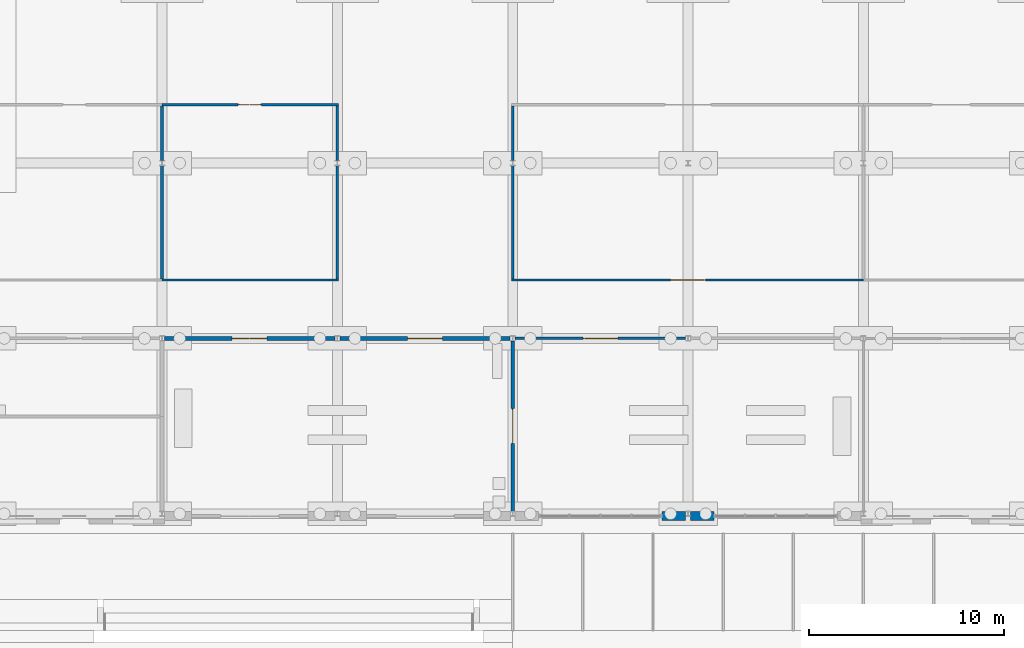
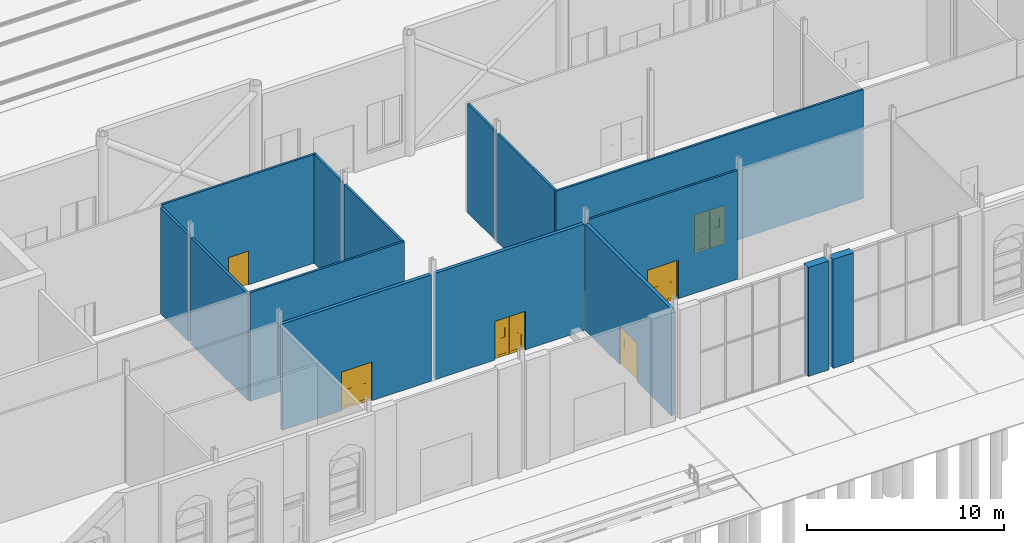
# One storey, part 96 of 250: 15 walls, 6 doors, 6 openings.
"""IFC4 building model written with IfcOpenShell, lengths in metres."""

from ifc_helpers import new_model, si_unit, direction, frame, frame_2d, origin, place, context, subcontext, project, spatial, polyline, rectangle, outline, extrude, material, layer, layer_set, type_object, element, fill, save


model = new_model("IFC4")

# Units and contexts
model_context = context("Model", 3, precision=1e-05, world=origin(), true_north=direction((0.0, 1.0)))
body_context = subcontext(model_context, "Body", "Model", "MODEL_VIEW")
ifc_project = project(units=[si_unit("LENGTHUNIT", "METRE"), si_unit("AREAUNIT", "SQUARE_METRE"), si_unit("VOLUMEUNIT", "CUBIC_METRE"), si_unit("PLANEANGLEUNIT", "RADIAN"), si_unit("MASSUNIT", "GRAM", prefix="KILO")], contexts=[model_context])

# Site, building, storey
site_placement = place(None, origin())
site = spatial("IfcSite", under=ifc_project, at=site_placement, CompositionType="ELEMENT")
building_placement = place(site_placement, origin())
building = spatial("IfcBuilding", under=site, at=building_placement, Name="Baradari Gate Terminus", CompositionType="ELEMENT")
storey_placement = place(building_placement, origin())
storey = spatial("IfcBuildingStorey", under=building, at=storey_placement, Name="L00", CompositionType="ELEMENT", Elevation=0.0)

# Wall, opening, door
ifc_material_1 = material(Name="Gypsum board")
ifc_layer_1 = layer(ifc_material_1, 0.125)
ifc_layer_set_1 = layer_set([ifc_layer_1], Name="Gypsum board")
wall_type_1 = type_object("IfcWallType", Name="Corridor partition PT-5 125 EI 30", PredefinedType="PARTITIONING", material=ifc_layer_set_1)
wall_1_placement = place(storey_placement, frame((125.871826171875, 18.0, 0.0), z_axis=(0.0, 0.0, 1.0), x_axis=(-1.0, 0.0, 0.0)))
wall_1 = element("IfcWall", 1, at=wall_1_placement, inside=storey, type_object=wall_type_1, Name="PT-5 partition Corridor (Service Corridor South) / South Waiting Lounge", PredefinedType="PARTITIONING", context=body_context, shape_type="SweptSolid", body=[
    extrude(rectangle(XDim=8.74365234375, YDim=0.125, at=frame_2d((4.371826171875, 0.0))), origin(), (0.0, 0.0, 1.0), 6.757080078125),
])
opening_1_placement = place(wall_1_placement, frame((3.471923828125, 0.0, 0.0)))
opening_1 = element("IfcOpeningElement", 2, at=opening_1_placement, cuts=wall_1, Name="Opening D00-144", PredefinedType="OPENING", context=body_context, shape_type="SweptSolid", body=[
    extrude(rectangle(XDim=1.800048828125, YDim=2.39990234375, at=frame_2d((0.89990234375, 1.199951171875))), frame((0.0, 0.072509765625, 0.0), z_axis=(0.0, -1.0, 0.0), x_axis=(1.0, 0.0, 0.0)), (0.0, 0.0, 1.0), 0.14501953125),
])
ifc_material_2 = material(Name="Steel S275", Category="steel")
door_type_1 = type_object("IfcDoorType", Name="Fire door FI-1800x2400-FD30S 1800x2400 FD30S", OperationType="DOUBLE_DOOR_SINGLE_SWING", PredefinedType="DOOR", material=ifc_material_2)
door_1_placement = place(opening_1_placement, frame((1.800048828125, 0.0, 0.0), z_axis=(0.0, 0.0, 1.0), x_axis=(-1.0, 0.0, 0.0)))
door_1 = element("IfcDoor", 3, at=door_1_placement, inside=storey, type_object=door_type_1, Name="Door South Waiting Lounge", OperationType="DOUBLE_DOOR_SINGLE_SWING", OverallHeight=2.4, OverallWidth=1.8, PredefinedType="DOOR", context=body_context, shape_type="SweptSolid", body=[
    extrude(outline(polyline([(0.0, 0.0), (0.070068359375, 0.0), (0.070068359375, 2.329833984375), (1.72998046875, 2.329833984375), (1.72998046875, 0.0), (1.800048828125, 0.0), (1.800048828125, 2.39990234375), (0.0, 2.39990234375), (0.0, 0.0)])), frame((0.0, 0.02490234375, 0.0), z_axis=(0.0, -1.0, 0.0), x_axis=(1.0, 0.0, 0.0)), (0.0, 0.0, 1.0), 0.050048828125),
    extrude(outline(polyline([(0.073974609375, 0.010009765625), (0.89697265625, 0.010009765625), (0.89697265625, 2.325927734375), (0.073974609375, 2.325927734375), (0.073974609375, 0.010009765625)]), holes=[polyline([(0.194091796875, 0.159912109375), (0.77685546875, 0.159912109375), (0.77685546875, 1.010009765625), (0.194091796875, 1.010009765625), (0.194091796875, 0.159912109375)]), polyline([(0.33544921875, 1.159912109375), (0.635498046875, 1.159912109375), (0.635498046875, 1.760009765625), (0.33544921875, 1.760009765625), (0.33544921875, 1.159912109375)])]), frame((0.0, 0.017333984375, 0.0), z_axis=(0.0, -1.0, 0.0), x_axis=(1.0, 0.0, 0.0)), (0.0, 0.0, 1.0), 0.034912109375),
    extrude(rectangle(XDim=0.582763671875, YDim=0.85009765625, at=frame_2d((0.4853515625, 0.5849609375))), frame((0.0, 0.008544921875, 0.0), z_axis=(0.0, -1.0, 0.0), x_axis=(1.0, 0.0, 0.0)), (0.0, 0.0, 1.0), 0.017333984375),
    extrude(rectangle(XDim=0.300048828125, YDim=0.60009765625, at=frame_2d((0.4853515625, 1.4599609375))), frame((0.0, 0.005859375, 0.0), z_axis=(0.0, -1.0, 0.0), x_axis=(1.0, 0.0, 0.0)), (0.0, 0.0, 1.0), 0.011962890625),
    extrude(outline(polyline([(0.903076171875, 0.010009765625), (1.72607421875, 0.010009765625), (1.72607421875, 2.325927734375), (0.903076171875, 2.325927734375), (0.903076171875, 0.010009765625)]), holes=[polyline([(1.023193359375, 0.159912109375), (1.60595703125, 0.159912109375), (1.60595703125, 1.010009765625), (1.023193359375, 1.010009765625), (1.023193359375, 0.159912109375)]), polyline([(1.16455078125, 1.159912109375), (1.464599609375, 1.159912109375), (1.464599609375, 1.760009765625), (1.16455078125, 1.760009765625), (1.16455078125, 1.159912109375)])]), frame((0.0, 0.017333984375, 0.0), z_axis=(0.0, -1.0, 0.0), x_axis=(1.0, 0.0, 0.0)), (0.0, 0.0, 1.0), 0.034912109375),
    extrude(rectangle(XDim=0.582763671875, YDim=0.85009765625, at=frame_2d((1.314453125, 0.5849609375))), frame((0.0, 0.008544921875, 0.0), z_axis=(0.0, -1.0, 0.0), x_axis=(1.0, 0.0, 0.0)), (0.0, 0.0, 1.0), 0.017333984375),
    extrude(rectangle(XDim=0.300048828125, YDim=0.60009765625, at=frame_2d((1.314453125, 1.4599609375))), frame((0.0, 0.005859375, 0.0), z_axis=(0.0, -1.0, 0.0), x_axis=(1.0, 0.0, 0.0)), (0.0, 0.0, 1.0), 0.011962890625),
])
fill(opening_1, door_1)

wall_2_placement = place(storey_placement, frame((116.9375, 21.0, 0.0), z_axis=(0.0, 0.0, 1.0), x_axis=(1.0, 0.0, 0.0)))
wall_2 = element("IfcWall", 4, at=wall_2_placement, inside=storey, type_object=wall_type_1, Name="PT-5 partition Corridor (Service Corridor South) / Baggage Hall", PredefinedType="PARTITIONING", context=body_context, shape_type="SweptSolid", body=[
    extrude(rectangle(XDim=18.0625, YDim=0.125, at=frame_2d((9.03125, 0.0))), origin(), (0.0, 0.0, 1.0), 6.757080078125),
])
opening_2_placement = place(wall_2_placement, frame((8.16259765625, 0.0, 0.0)))
opening_2 = element("IfcOpeningElement", 5, at=opening_2_placement, cuts=wall_2, Name="Opening D00-135", PredefinedType="OPENING", context=body_context, shape_type="SweptSolid", body=[
    extrude(rectangle(XDim=1.800048828125, YDim=2.39990234375, at=frame_2d((0.89990234375, 1.199951171875))), frame((0.0, 0.072509765625, 0.0), z_axis=(0.0, -1.0, 0.0), x_axis=(1.0, 0.0, 0.0)), (0.0, 0.0, 1.0), 0.14501953125),
])
door_2_placement = place(opening_2_placement, origin())
door_2 = element("IfcDoor", 6, at=door_2_placement, inside=storey, type_object=door_type_1, Name="Door Baggage Hall", OperationType="DOUBLE_DOOR_SINGLE_SWING", OverallHeight=2.4, OverallWidth=1.8, PredefinedType="DOOR", context=body_context, shape_type="SweptSolid", body=[
    extrude(outline(polyline([(0.0, 0.0), (0.070068359375, 0.0), (0.070068359375, 2.329833984375), (1.72998046875, 2.329833984375), (1.72998046875, 0.0), (1.800048828125, 0.0), (1.800048828125, 2.39990234375), (0.0, 2.39990234375), (0.0, 0.0)])), frame((0.0, 0.02490234375, 0.0), z_axis=(0.0, -1.0, 0.0), x_axis=(1.0, 0.0, 0.0)), (0.0, 0.0, 1.0), 0.050048828125),
    extrude(outline(polyline([(0.073974609375, 0.010009765625), (0.89697265625, 0.010009765625), (0.89697265625, 2.325927734375), (0.073974609375, 2.325927734375), (0.073974609375, 0.010009765625)]), holes=[polyline([(0.194091796875, 0.159912109375), (0.77685546875, 0.159912109375), (0.77685546875, 1.010009765625), (0.194091796875, 1.010009765625), (0.194091796875, 0.159912109375)]), polyline([(0.33544921875, 1.159912109375), (0.635498046875, 1.159912109375), (0.635498046875, 1.760009765625), (0.33544921875, 1.760009765625), (0.33544921875, 1.159912109375)])]), frame((0.0, 0.017333984375, 0.0), z_axis=(0.0, -1.0, 0.0), x_axis=(1.0, 0.0, 0.0)), (0.0, 0.0, 1.0), 0.034912109375),
    extrude(rectangle(XDim=0.582763671875, YDim=0.85009765625, at=frame_2d((0.4853515625, 0.5849609375))), frame((0.0, 0.008544921875, 0.0), z_axis=(0.0, -1.0, 0.0), x_axis=(1.0, 0.0, 0.0)), (0.0, 0.0, 1.0), 0.017333984375),
    extrude(rectangle(XDim=0.300048828125, YDim=0.60009765625, at=frame_2d((0.4853515625, 1.4599609375))), frame((0.0, 0.005859375, 0.0), z_axis=(0.0, -1.0, 0.0), x_axis=(1.0, 0.0, 0.0)), (0.0, 0.0, 1.0), 0.011962890625),
    extrude(outline(polyline([(0.903076171875, 0.010009765625), (1.72607421875, 0.010009765625), (1.72607421875, 2.325927734375), (0.903076171875, 2.325927734375), (0.903076171875, 0.010009765625)]), holes=[polyline([(1.023193359375, 0.159912109375), (1.60595703125, 0.159912109375), (1.60595703125, 1.010009765625), (1.023193359375, 1.010009765625), (1.023193359375, 0.159912109375)]), polyline([(1.16455078125, 1.159912109375), (1.464599609375, 1.159912109375), (1.464599609375, 1.760009765625), (1.16455078125, 1.760009765625), (1.16455078125, 1.159912109375)])]), frame((0.0, 0.017333984375, 0.0), z_axis=(0.0, -1.0, 0.0), x_axis=(1.0, 0.0, 0.0)), (0.0, 0.0, 1.0), 0.034912109375),
    extrude(rectangle(XDim=0.582763671875, YDim=0.85009765625, at=frame_2d((1.314453125, 0.5849609375))), frame((0.0, 0.008544921875, 0.0), z_axis=(0.0, -1.0, 0.0), x_axis=(1.0, 0.0, 0.0)), (0.0, 0.0, 1.0), 0.017333984375),
    extrude(rectangle(XDim=0.300048828125, YDim=0.60009765625, at=frame_2d((1.314453125, 1.4599609375))), frame((0.0, 0.005859375, 0.0), z_axis=(0.0, -1.0, 0.0), x_axis=(1.0, 0.0, 0.0)), (0.0, 0.0, 1.0), 0.011962890625),
])
fill(opening_2, door_2)

# Wall
wall_3_placement = place(storey_placement, frame((99.0, 21.0, 0.0), z_axis=(0.0, 0.0, 1.0), x_axis=(1.0, 0.0, 0.0)))
element("IfcWall", 7, at=wall_3_placement, inside=storey, type_object=wall_type_1, Name="PT-5 partition Corridor (Service Corridor South) / Parcels Office", PredefinedType="PARTITIONING", context=body_context, shape_type="SweptSolid", body=[
    extrude(rectangle(XDim=9.0625, YDim=0.125, at=frame_2d((4.53125, 0.0))), origin(), (0.0, 0.0, 1.0), 6.757080078125),
])

# Wall, opening, door
wall_4_placement = place(storey_placement, frame((108.0625, 30.0, 0.0), z_axis=(0.0, 0.0, 1.0), x_axis=(-1.0, 0.0, 0.0)))
wall_4 = element("IfcWall", 8, at=wall_4_placement, inside=storey, type_object=wall_type_1, Name="PT-5 partition Corridor (Platform Passage South) / Parcels Office", PredefinedType="PARTITIONING", context=body_context, shape_type="SweptSolid", body=[
    extrude(rectangle(XDim=9.0625, YDim=0.125, at=frame_2d((4.53125, 0.0))), origin(), (0.0, 0.0, 1.0), 6.757080078125),
])
opening_3_placement = place(wall_4_placement, frame((3.96240234375, 0.0, 0.0)))
opening_3 = element("IfcOpeningElement", 9, at=opening_3_placement, cuts=wall_4, Name="Opening D00-133", PredefinedType="OPENING", context=body_context, shape_type="SweptSolid", body=[
    extrude(rectangle(XDim=1.199951171875, YDim=2.10009765625, at=frame_2d((0.60009765625, 1.050048828125))), frame((0.0, 0.072509765625, 0.0), z_axis=(0.0, -1.0, 0.0), x_axis=(1.0, 0.0, 0.0)), (0.0, 0.0, 1.0), 0.14501953125),
])
ifc_material_3 = material(Name="Steel S275", Category="steel")
door_type_2 = type_object("IfcDoorType", Name="Fire door FI-1200-FD30S 1200x2100 FD30S", OperationType="DOUBLE_DOOR_SINGLE_SWING", PredefinedType="DOOR", material=ifc_material_3)
door_3_placement = place(opening_3_placement, origin())
door_3 = element("IfcDoor", 10, at=door_3_placement, inside=storey, type_object=door_type_2, Name="Door Parcels Office", OperationType="DOUBLE_DOOR_SINGLE_SWING", OverallHeight=2.1, OverallWidth=1.2, PredefinedType="DOOR", context=body_context, shape_type="SweptSolid", body=[
    extrude(outline(polyline([(0.0, 0.0), (0.070068359375, 0.0), (0.070068359375, 2.030029296875), (1.1298828125, 2.030029296875), (1.1298828125, 0.0), (1.199951171875, 0.0), (1.199951171875, 2.10009765625), (0.0, 2.10009765625), (0.0, 0.0)])), frame((0.0, 0.02490234375, 0.0), z_axis=(0.0, -1.0, 0.0), x_axis=(1.0, 0.0, 0.0)), (0.0, 0.0, 1.0), 0.050048828125),
    extrude(outline(polyline([(0.073974609375, 0.010009765625), (0.596923828125, 0.010009765625), (0.596923828125, 2.026123046875), (0.073974609375, 2.026123046875), (0.073974609375, 0.010009765625)]), holes=[polyline([(0.178466796875, 0.372802734375), (0.492431640625, 0.372802734375), (0.492431640625, 1.7841796875), (0.178466796875, 1.7841796875), (0.178466796875, 0.372802734375)])]), frame((0.0, 0.017333984375, 0.0), z_axis=(0.0, -1.0, 0.0), x_axis=(1.0, 0.0, 0.0)), (0.0, 0.0, 1.0), 0.034912109375),
    extrude(rectangle(XDim=0.31396484375, YDim=1.411376953125, at=frame_2d((0.33544921875, 1.07861328125))), frame((0.0, 0.008544921875, 0.0), z_axis=(0.0, -1.0, 0.0), x_axis=(1.0, 0.0, 0.0)), (0.0, 0.0, 1.0), 0.017333984375),
    extrude(outline(polyline([(0.60302734375, 0.010009765625), (1.1259765625, 0.010009765625), (1.1259765625, 2.026123046875), (0.60302734375, 2.026123046875), (0.60302734375, 0.010009765625)]), holes=[polyline([(0.70751953125, 0.372802734375), (1.021484375, 0.372802734375), (1.021484375, 1.7841796875), (0.70751953125, 1.7841796875), (0.70751953125, 0.372802734375)])]), frame((0.0, 0.017333984375, 0.0), z_axis=(0.0, -1.0, 0.0), x_axis=(1.0, 0.0, 0.0)), (0.0, 0.0, 1.0), 0.034912109375),
    extrude(rectangle(XDim=0.31396484375, YDim=1.411376953125, at=frame_2d((0.864501953125, 1.07861328125))), frame((0.0, 0.008544921875, 0.0), z_axis=(0.0, -1.0, 0.0), x_axis=(1.0, 0.0, 0.0)), (0.0, 0.0, 1.0), 0.017333984375),
])
fill(opening_3, door_3)

# Walls
wall_5_placement = place(storey_placement, frame((117.0, 29.9375, 0.0), z_axis=(0.0, 0.0, 1.0), x_axis=(0.0, -1.0, 0.0)))
element("IfcWall", 11, at=wall_5_placement, inside=storey, type_object=wall_type_1, Name="PT-5 partition Corridor (Cross Passage South) / Baggage Hall", PredefinedType="PARTITIONING", context=body_context, shape_type="SweptSolid", body=[
    extrude(rectangle(XDim=2.807373046875, YDim=0.125, at=frame_2d((1.40380859375, 0.0))), origin(), (0.0, 0.0, 1.0), 6.757080078125),
])
for number, where, z_axis, x_axis, name in (
    (12, (117.0, 26.869873046875, 0.0), (0.0, 0.0, 1.0), (0.0, -1.0, 0.0), "PT-5 partition Corridor (Cross Passage South) / Baggage Hall"),
    (13, (108.0, 21.0625, 0.0), (0.0, 0.0, 1.0), (0.0, 1.0, 0.0), "PT-5 partition Corridor (Cross Passage South) / Parcels Office"),
):
    element("IfcWall", number, at=place(storey_placement, frame(where, z_axis=z_axis, x_axis=x_axis)), inside=storey, type_object=wall_type_1, Name=name, PredefinedType="PARTITIONING", context=body_context, shape_type="SweptSolid", body=[
        extrude(rectangle(XDim=5.807373046875, YDim=0.125, at=frame_2d((2.90380859375, 0.0))), origin(), (0.0, 0.0, 1.0), 6.757080078125),
    ])
wall_6_placement = place(storey_placement, frame((108.0, 27.130126953125, 0.0), z_axis=(0.0, 0.0, 1.0), x_axis=(0.0, 1.0, 0.0)))
element("IfcWall", 14, at=wall_6_placement, inside=storey, type_object=wall_type_1, Name="PT-5 partition Corridor (Cross Passage South) / Parcels Office", PredefinedType="PARTITIONING", context=body_context, shape_type="SweptSolid", body=[
    extrude(rectangle(XDim=2.807373046875, YDim=0.125, at=frame_2d((1.40380859375, 0.0))), origin(), (0.0, 0.0, 1.0), 6.757080078125),
])
ifc_material_4 = material(Name="Laterite masonry", Category="masonry")
ifc_layer_2 = layer(ifc_material_4, 0.449951171875)
ifc_layer_set_2 = layer_set([ifc_layer_2], Name="Laterite masonry")
wall_type_2 = type_object("IfcWallType", Name="Laterite masonry pier WC-1 450", PredefinedType="SOLIDWALL", material=ifc_layer_set_2)
for number, where, z_axis, x_axis, name in (
    (15, (124.672607421875, 8.880126953125, 0.0), (0.0, 0.0, 1.0), (1.0, 0.0, 0.0), "Stone-clad pier SS bay 14 L00"),
    (16, (126.127197265625, 8.880126953125, 0.0), (0.0, 0.0, 1.0), (1.0, 0.0, 0.0), "Stone-clad pier SS bay 15 L00"),
):
    element("IfcWall", number, at=place(storey_placement, frame(where, z_axis=z_axis, x_axis=x_axis)), inside=storey, type_object=wall_type_2, Name=name, PredefinedType="SOLIDWALL", context=body_context, shape_type="SweptSolid", body=[
        extrude(rectangle(XDim=1.2001953125, YDim=0.449951171875, at=frame_2d((0.60009765625, 0.0))), origin(), (0.0, 0.0, 1.0), 6.767333984375),
    ])

# Wall, opening, door
ifc_material_5 = material(Name="Blockwork wall, plastered, fire rated", Category="masonry")
ifc_layer_3 = layer(ifc_material_5, 0.199951171875)
ifc_layer_set_3 = layer_set([ifc_layer_3], Name="Blockwork wall, plastered, fire rated")
wall_type_3 = type_object("IfcWallType", Name="Lobby partition PT-4 200 EI 60", PredefinedType="PARTITIONING", material=ifc_layer_set_3)
wall_7_placement = place(storey_placement, frame((116.871826171875, 18.0, 0.0), z_axis=(0.0, 0.0, 1.0), x_axis=(-1.0, 0.0, 0.0)))
wall_7 = element("IfcWall", 17, at=wall_7_placement, inside=storey, type_object=wall_type_3, Name="PT-4 partition Corridor (Service Corridor South) / South Entrance Lobby", PredefinedType="PARTITIONING", context=body_context, shape_type="SweptSolid", body=[
    extrude(rectangle(XDim=8.74365234375, YDim=0.199951171875, at=frame_2d((4.371826171875, 0.0))), origin(), (0.0, 0.0, 1.0), 6.60009765625),
])
opening_4_placement = place(wall_7_placement, frame((3.471923828125, 0.0, 0.0)))
opening_4 = element("IfcOpeningElement", 18, at=opening_4_placement, cuts=wall_7, Name="Opening D00-142", PredefinedType="OPENING", context=body_context, shape_type="SweptSolid", body=[
    extrude(rectangle(XDim=1.800048828125, YDim=2.39990234375, at=frame_2d((0.89990234375, 1.199951171875))), frame((0.0, 0.10986328125, 0.0), z_axis=(0.0, -1.0, 0.0), x_axis=(1.0, 0.0, 0.0)), (0.0, 0.0, 1.0), 0.219970703125),
])
ifc_material_6 = material(Name="Steel S275", Category="steel")
door_type_3 = type_object("IfcDoorType", Name="Fire door FI-1800x2400-FD60S 1800x2400 FD60S", OperationType="DOUBLE_DOOR_SINGLE_SWING", PredefinedType="DOOR", material=ifc_material_6)
door_4_placement = place(opening_4_placement, frame((1.800048828125, 0.0, 0.0), z_axis=(0.0, 0.0, 1.0), x_axis=(-1.0, 0.0, 0.0)))
door_4 = element("IfcDoor", 19, at=door_4_placement, inside=storey, type_object=door_type_3, Name="Door South Entrance Lobby", OperationType="DOUBLE_DOOR_SINGLE_SWING", OverallHeight=2.4, OverallWidth=1.8, PredefinedType="DOOR", context=body_context, shape_type="SweptSolid", body=[
    extrude(outline(polyline([(0.0, 0.0), (0.070068359375, 0.0), (0.070068359375, 2.329833984375), (1.72998046875, 2.329833984375), (1.72998046875, 0.0), (1.800048828125, 0.0), (1.800048828125, 2.39990234375), (0.0, 2.39990234375), (0.0, 0.0)])), frame((0.0, 0.02490234375, 0.0), z_axis=(0.0, -1.0, 0.0), x_axis=(1.0, 0.0, 0.0)), (0.0, 0.0, 1.0), 0.050048828125),
    extrude(outline(polyline([(0.073974609375, 0.010009765625), (0.89697265625, 0.010009765625), (0.89697265625, 2.325927734375), (0.073974609375, 2.325927734375), (0.073974609375, 0.010009765625)]), holes=[polyline([(0.194091796875, 0.159912109375), (0.77685546875, 0.159912109375), (0.77685546875, 1.010009765625), (0.194091796875, 1.010009765625), (0.194091796875, 0.159912109375)]), polyline([(0.33544921875, 1.159912109375), (0.635498046875, 1.159912109375), (0.635498046875, 1.760009765625), (0.33544921875, 1.760009765625), (0.33544921875, 1.159912109375)])]), frame((0.0, 0.017333984375, 0.0), z_axis=(0.0, -1.0, 0.0), x_axis=(1.0, 0.0, 0.0)), (0.0, 0.0, 1.0), 0.034912109375),
    extrude(rectangle(XDim=0.582763671875, YDim=0.85009765625, at=frame_2d((0.4853515625, 0.5849609375))), frame((0.0, 0.008544921875, 0.0), z_axis=(0.0, -1.0, 0.0), x_axis=(1.0, 0.0, 0.0)), (0.0, 0.0, 1.0), 0.017333984375),
    extrude(rectangle(XDim=0.300048828125, YDim=0.60009765625, at=frame_2d((0.4853515625, 1.4599609375))), frame((0.0, 0.005859375, 0.0), z_axis=(0.0, -1.0, 0.0), x_axis=(1.0, 0.0, 0.0)), (0.0, 0.0, 1.0), 0.011962890625),
    extrude(outline(polyline([(0.903076171875, 0.010009765625), (1.72607421875, 0.010009765625), (1.72607421875, 2.325927734375), (0.903076171875, 2.325927734375), (0.903076171875, 0.010009765625)]), holes=[polyline([(1.023193359375, 0.159912109375), (1.60595703125, 0.159912109375), (1.60595703125, 1.010009765625), (1.023193359375, 1.010009765625), (1.023193359375, 0.159912109375)]), polyline([(1.16455078125, 1.159912109375), (1.464599609375, 1.159912109375), (1.464599609375, 1.760009765625), (1.16455078125, 1.760009765625), (1.16455078125, 1.159912109375)])]), frame((0.0, 0.017333984375, 0.0), z_axis=(0.0, -1.0, 0.0), x_axis=(1.0, 0.0, 0.0)), (0.0, 0.0, 1.0), 0.034912109375),
    extrude(rectangle(XDim=0.582763671875, YDim=0.85009765625, at=frame_2d((1.314453125, 0.5849609375))), frame((0.0, 0.008544921875, 0.0), z_axis=(0.0, -1.0, 0.0), x_axis=(1.0, 0.0, 0.0)), (0.0, 0.0, 1.0), 0.017333984375),
    extrude(rectangle(XDim=0.300048828125, YDim=0.60009765625, at=frame_2d((1.314453125, 1.4599609375))), frame((0.0, 0.005859375, 0.0), z_axis=(0.0, -1.0, 0.0), x_axis=(1.0, 0.0, 0.0)), (0.0, 0.0, 1.0), 0.011962890625),
])
fill(opening_4, door_4)

wall_8_placement = place(storey_placement, frame((107.871826171875, 18.0, 0.0), z_axis=(0.0, 0.0, 1.0), x_axis=(-1.0, 0.0, 0.0)))
wall_8 = element("IfcWall", 20, at=wall_8_placement, inside=storey, type_object=wall_type_3, Name="PT-4 partition Corridor (Service Corridor South) / South Entrance Lobby", PredefinedType="PARTITIONING", context=body_context, shape_type="SweptSolid", body=[
    extrude(rectangle(XDim=8.74365234375, YDim=0.199951171875, at=frame_2d((4.371826171875, 0.0))), origin(), (0.0, 0.0, 1.0), 6.60009765625),
])
opening_5_placement = place(wall_8_placement, frame((3.471923828125, 0.0, 0.0)))
opening_5 = element("IfcOpeningElement", 21, at=opening_5_placement, cuts=wall_8, Name="Opening D00-141", PredefinedType="OPENING", context=body_context, shape_type="SweptSolid", body=[
    extrude(rectangle(XDim=1.800048828125, YDim=2.39990234375, at=frame_2d((0.89990234375, 1.199951171875))), frame((0.0, 0.10986328125, 0.0), z_axis=(0.0, -1.0, 0.0), x_axis=(1.0, 0.0, 0.0)), (0.0, 0.0, 1.0), 0.219970703125),
])
door_5_placement = place(opening_5_placement, frame((1.800048828125, 0.0, 0.0), z_axis=(0.0, 0.0, 1.0), x_axis=(-1.0, 0.0, 0.0)))
door_5 = element("IfcDoor", 22, at=door_5_placement, inside=storey, type_object=door_type_3, Name="Door South Entrance Lobby", OperationType="DOUBLE_DOOR_SINGLE_SWING", OverallHeight=2.4, OverallWidth=1.8, PredefinedType="DOOR", context=body_context, shape_type="SweptSolid", body=[
    extrude(outline(polyline([(0.0, 0.0), (0.070068359375, 0.0), (0.070068359375, 2.329833984375), (1.72998046875, 2.329833984375), (1.72998046875, 0.0), (1.800048828125, 0.0), (1.800048828125, 2.39990234375), (0.0, 2.39990234375), (0.0, 0.0)])), frame((0.0, 0.02490234375, 0.0), z_axis=(0.0, -1.0, 0.0), x_axis=(1.0, 0.0, 0.0)), (0.0, 0.0, 1.0), 0.050048828125),
    extrude(outline(polyline([(0.073974609375, 0.010009765625), (0.89697265625, 0.010009765625), (0.89697265625, 2.325927734375), (0.073974609375, 2.325927734375), (0.073974609375, 0.010009765625)]), holes=[polyline([(0.194091796875, 0.159912109375), (0.77685546875, 0.159912109375), (0.77685546875, 1.010009765625), (0.194091796875, 1.010009765625), (0.194091796875, 0.159912109375)]), polyline([(0.33544921875, 1.159912109375), (0.635498046875, 1.159912109375), (0.635498046875, 1.760009765625), (0.33544921875, 1.760009765625), (0.33544921875, 1.159912109375)])]), frame((0.0, 0.017333984375, 0.0), z_axis=(0.0, -1.0, 0.0), x_axis=(1.0, 0.0, 0.0)), (0.0, 0.0, 1.0), 0.034912109375),
    extrude(rectangle(XDim=0.582763671875, YDim=0.85009765625, at=frame_2d((0.4853515625, 0.5849609375))), frame((0.0, 0.008544921875, 0.0), z_axis=(0.0, -1.0, 0.0), x_axis=(1.0, 0.0, 0.0)), (0.0, 0.0, 1.0), 0.017333984375),
    extrude(rectangle(XDim=0.300048828125, YDim=0.60009765625, at=frame_2d((0.4853515625, 1.4599609375))), frame((0.0, 0.005859375, 0.0), z_axis=(0.0, -1.0, 0.0), x_axis=(1.0, 0.0, 0.0)), (0.0, 0.0, 1.0), 0.011962890625),
    extrude(outline(polyline([(0.903076171875, 0.010009765625), (1.72607421875, 0.010009765625), (1.72607421875, 2.325927734375), (0.903076171875, 2.325927734375), (0.903076171875, 0.010009765625)]), holes=[polyline([(1.023193359375, 0.159912109375), (1.60595703125, 0.159912109375), (1.60595703125, 1.010009765625), (1.023193359375, 1.010009765625), (1.023193359375, 0.159912109375)]), polyline([(1.16455078125, 1.159912109375), (1.464599609375, 1.159912109375), (1.464599609375, 1.760009765625), (1.16455078125, 1.760009765625), (1.16455078125, 1.159912109375)])]), frame((0.0, 0.017333984375, 0.0), z_axis=(0.0, -1.0, 0.0), x_axis=(1.0, 0.0, 0.0)), (0.0, 0.0, 1.0), 0.034912109375),
    extrude(rectangle(XDim=0.582763671875, YDim=0.85009765625, at=frame_2d((1.314453125, 0.5849609375))), frame((0.0, 0.008544921875, 0.0), z_axis=(0.0, -1.0, 0.0), x_axis=(1.0, 0.0, 0.0)), (0.0, 0.0, 1.0), 0.017333984375),
    extrude(rectangle(XDim=0.300048828125, YDim=0.60009765625, at=frame_2d((1.314453125, 1.4599609375))), frame((0.0, 0.005859375, 0.0), z_axis=(0.0, -1.0, 0.0), x_axis=(1.0, 0.0, 0.0)), (0.0, 0.0, 1.0), 0.011962890625),
])
fill(opening_5, door_5)

wall_9_placement = place(storey_placement, frame((117.0, 17.869873046875, 0.0), z_axis=(0.0, 0.0, 1.0), x_axis=(0.0, -1.0, 0.0)))
wall_9 = element("IfcWall", 23, at=wall_9_placement, inside=storey, type_object=wall_type_3, Name="PT-4 partition South Entrance Lobby / South Waiting Lounge", PredefinedType="PARTITIONING", context=body_context, shape_type="SweptSolid", body=[
    extrude(rectangle(XDim=8.742919921875, YDim=0.199951171875, at=frame_2d((4.37158203125, 0.0))), origin(), (0.0, 0.0, 1.0), 6.60009765625),
])
opening_6_placement = place(wall_9_placement, frame((3.469970703125, 0.0, 0.0)))
opening_6 = element("IfcOpeningElement", 24, at=opening_6_placement, cuts=wall_9, Name="Opening D00-143", PredefinedType="OPENING", context=body_context, shape_type="SweptSolid", body=[
    extrude(rectangle(XDim=1.800048828125, YDim=2.39990234375, at=frame_2d((0.89990234375, 1.199951171875))), frame((0.0, 0.10986328125, 0.0), z_axis=(0.0, -1.0, 0.0), x_axis=(1.0, 0.0, 0.0)), (0.0, 0.0, 1.0), 0.219970703125),
])
door_6_placement = place(opening_6_placement, frame((1.800048828125, 0.0, 0.0), z_axis=(0.0, 0.0, 1.0), x_axis=(-1.0, 0.0, 0.0)))
door_6 = element("IfcDoor", 25, at=door_6_placement, inside=storey, type_object=door_type_3, Name="Door South Waiting Lounge", OperationType="DOUBLE_DOOR_SINGLE_SWING", OverallHeight=2.4, OverallWidth=1.8, PredefinedType="DOOR", context=body_context, shape_type="SweptSolid", body=[
    extrude(outline(polyline([(0.0, 0.0), (0.070068359375, 0.0), (0.070068359375, 2.329833984375), (1.72998046875, 2.329833984375), (1.72998046875, 0.0), (1.800048828125, 0.0), (1.800048828125, 2.39990234375), (0.0, 2.39990234375), (0.0, 0.0)])), frame((0.0, 0.02490234375, 0.0), z_axis=(0.0, -1.0, 0.0), x_axis=(1.0, 0.0, 0.0)), (0.0, 0.0, 1.0), 0.050048828125),
    extrude(outline(polyline([(0.073974609375, 0.010009765625), (0.89697265625, 0.010009765625), (0.89697265625, 2.325927734375), (0.073974609375, 2.325927734375), (0.073974609375, 0.010009765625)]), holes=[polyline([(0.194091796875, 0.159912109375), (0.77685546875, 0.159912109375), (0.77685546875, 1.010009765625), (0.194091796875, 1.010009765625), (0.194091796875, 0.159912109375)]), polyline([(0.33544921875, 1.159912109375), (0.635498046875, 1.159912109375), (0.635498046875, 1.760009765625), (0.33544921875, 1.760009765625), (0.33544921875, 1.159912109375)])]), frame((0.0, 0.017333984375, 0.0), z_axis=(0.0, -1.0, 0.0), x_axis=(1.0, 0.0, 0.0)), (0.0, 0.0, 1.0), 0.034912109375),
    extrude(rectangle(XDim=0.582763671875, YDim=0.85009765625, at=frame_2d((0.4853515625, 0.5849609375))), frame((0.0, 0.008544921875, 0.0), z_axis=(0.0, -1.0, 0.0), x_axis=(1.0, 0.0, 0.0)), (0.0, 0.0, 1.0), 0.017333984375),
    extrude(rectangle(XDim=0.300048828125, YDim=0.60009765625, at=frame_2d((0.4853515625, 1.4599609375))), frame((0.0, 0.005859375, 0.0), z_axis=(0.0, -1.0, 0.0), x_axis=(1.0, 0.0, 0.0)), (0.0, 0.0, 1.0), 0.011962890625),
    extrude(outline(polyline([(0.903076171875, 0.010009765625), (1.72607421875, 0.010009765625), (1.72607421875, 2.325927734375), (0.903076171875, 2.325927734375), (0.903076171875, 0.010009765625)]), holes=[polyline([(1.023193359375, 0.159912109375), (1.60595703125, 0.159912109375), (1.60595703125, 1.010009765625), (1.023193359375, 1.010009765625), (1.023193359375, 0.159912109375)]), polyline([(1.16455078125, 1.159912109375), (1.464599609375, 1.159912109375), (1.464599609375, 1.760009765625), (1.16455078125, 1.760009765625), (1.16455078125, 1.159912109375)])]), frame((0.0, 0.017333984375, 0.0), z_axis=(0.0, -1.0, 0.0), x_axis=(1.0, 0.0, 0.0)), (0.0, 0.0, 1.0), 0.034912109375),
    extrude(rectangle(XDim=0.582763671875, YDim=0.85009765625, at=frame_2d((1.314453125, 0.5849609375))), frame((0.0, 0.008544921875, 0.0), z_axis=(0.0, -1.0, 0.0), x_axis=(1.0, 0.0, 0.0)), (0.0, 0.0, 1.0), 0.017333984375),
    extrude(rectangle(XDim=0.300048828125, YDim=0.60009765625, at=frame_2d((1.314453125, 1.4599609375))), frame((0.0, 0.005859375, 0.0), z_axis=(0.0, -1.0, 0.0), x_axis=(1.0, 0.0, 0.0)), (0.0, 0.0, 1.0), 0.011962890625),
])
fill(opening_6, door_6)

# Walls
ifc_material_7 = material(Name="Blockwork wall, plastered", Category="masonry")
ifc_layer_4 = layer(ifc_material_7, 0.14990234375)
ifc_layer_set_4 = layer_set([ifc_layer_4], Name="Blockwork wall, plastered")
wall_type_4 = type_object("IfcWallType", Name="Partition PT-2 150 EI 60", PredefinedType="PARTITIONING", material=ifc_layer_set_4)
wall_10_placement = place(storey_placement, frame((99.0, 29.9375, 0.0), z_axis=(0.0, 0.0, 1.0), x_axis=(0.0, -1.0, 0.0)))
element("IfcWall", 26, at=wall_10_placement, inside=storey, type_object=wall_type_4, Name="PT-2 partition Station Operations Room / Parcels Office", PredefinedType="PARTITIONING", context=body_context, shape_type="SweptSolid", body=[
    extrude(rectangle(XDim=2.807373046875, YDim=0.14990234375, at=frame_2d((1.40380859375, 0.0))), origin(), (0.0, 0.0, 1.0), 6.60009765625),
])
wall_11_placement = place(storey_placement, frame((99.0, 26.869873046875, 0.0), z_axis=(0.0, 0.0, 1.0), x_axis=(0.0, -1.0, 0.0)))
element("IfcWall", 27, at=wall_11_placement, inside=storey, type_object=wall_type_4, Name="PT-2 partition Station Operations Room / Parcels Office", PredefinedType="PARTITIONING", context=body_context, shape_type="SweptSolid", body=[
    extrude(rectangle(XDim=5.807373046875, YDim=0.14990234375, at=frame_2d((2.90380859375, 0.0))), origin(), (0.0, 0.0, 1.0), 6.60009765625),
])

save(model, "model.ifc")
